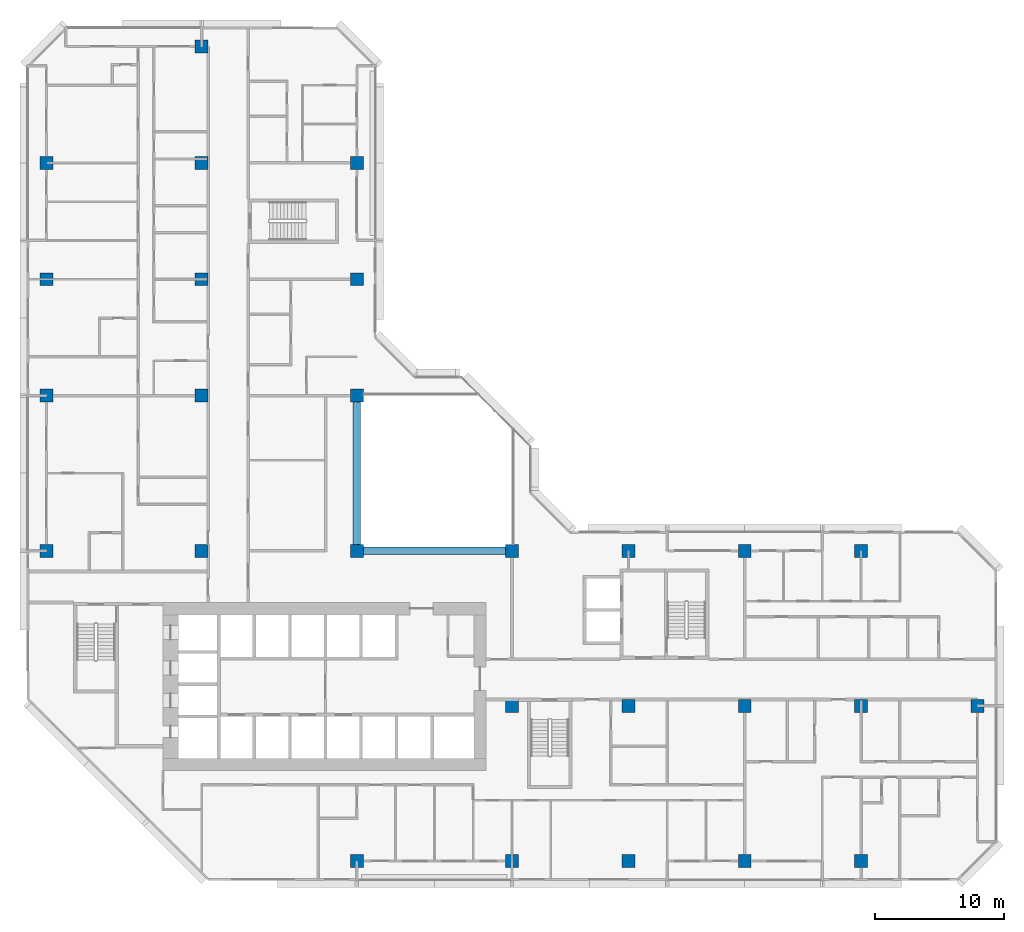
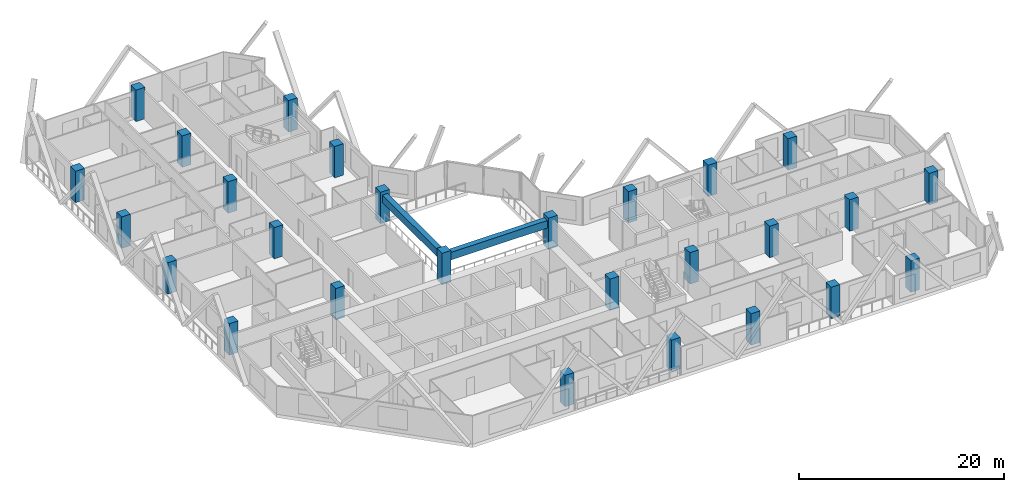
# One storey, part 1 of 15: 27 columns, 2 beams.
"""IFC4 building model written with IfcOpenShell, lengths in metres."""

from ifc_helpers import new_model, si_unit, direction, frame, origin, origin_2d, place, context, subcontext, project, spatial, rectangle, extrude, material, material_profile, profile_set, type_object, element, save


model = new_model("IFC4")

# Units and contexts
model_context = context("Model", 3, precision=1e-05, world=origin(), true_north=direction((0.0, 1.0)))
body_context = subcontext(model_context, "Body", "Model", "MODEL_VIEW")
ifc_project = project(units=[si_unit("LENGTHUNIT", "METRE"), si_unit("AREAUNIT", "SQUARE_METRE"), si_unit("VOLUMEUNIT", "CUBIC_METRE"), si_unit("PLANEANGLEUNIT", "RADIAN"), si_unit("MASSUNIT", "GRAM", prefix="KILO")], contexts=[model_context])

# Site, building, storey
site_placement = place(None, origin())
site = spatial("IfcSite", under=ifc_project, at=site_placement, CompositionType="ELEMENT")
building_placement = place(site_placement, origin())
building = spatial("IfcBuilding", under=site, at=building_placement, Name="Chenar Terraces", CompositionType="ELEMENT")
storey_placement = place(building_placement, frame((0.0, 0.0, 121.89990234375)))
storey = spatial("IfcBuildingStorey", under=building, at=storey_placement, Name="L28", CompositionType="ELEMENT", Elevation=121.89990234375)

# Columns
ifc_material_1 = material(Name="Concrete C70/85", Category="concrete")
ifc_material_profile_1 = material_profile(ifc_material_1, rectangle(XDim=1.0, YDim=1.0, at=origin_2d()), Name="C 1000 x 1000")
ifc_profile_set_1 = profile_set([ifc_material_profile_1], Name="Concrete C70/85")
column_type = type_object("IfcColumnType", Name="Column C 1000 x 1000 Concrete C70/85", PredefinedType="COLUMN", material=ifc_profile_set_1)
column_1_placement = place(storey_placement, frame((0.0, 24.0, 0.0), z_axis=(0.0, 0.0, 1.0), x_axis=(1.0, 0.0, 0.0)))
element("IfcColumn", 1, at=column_1_placement, inside=storey, type_object=column_type, Name="Column 5/G L28", PredefinedType="COLUMN", context=body_context, shape_type="SweptSolid", body=[
    extrude(rectangle(XDim=1.0, YDim=1.0, at=origin_2d()), origin(), (0.0, 0.0, 1.0), 3.75),
])
column_2_placement = place(storey_placement, frame((0.0, 36.0, 0.0), z_axis=(0.0, 0.0, 1.0), x_axis=(1.0, 0.0, 0.0)))
element("IfcColumn", 2, at=column_2_placement, inside=storey, type_object=column_type, Name="Column 5/H L28", PredefinedType="COLUMN", context=body_context, shape_type="SweptSolid", body=[
    extrude(rectangle(XDim=1.0, YDim=1.0, at=origin_2d()), origin(), (0.0, 0.0, 1.0), 3.75),
])
for number, where, z_axis, x_axis, name in (
    (3, (0.0, 45.0, 0.0), (0.0, 0.0, 1.0), (1.0, 0.0, 0.0), "Column 5/J L28"),
    (4, (0.0, 54.0, 0.0), (0.0, 0.0, 1.0), (1.0, 0.0, 0.0), "Column 5/K L28"),
    (5, (12.0, 24.0, 0.0), (0.0, 0.0, 1.0), (1.0, 0.0, 0.0), "Column 6/G L28"),
    (6, (12.0, 36.0, 0.0), (0.0, 0.0, 1.0), (1.0, 0.0, 0.0), "Column 6/H L28"),
    (7, (12.0, 45.0, 0.0), (0.0, 0.0, 1.0), (1.0, 0.0, 0.0), "Column 6/J L28"),
    (8, (12.0, 54.0, 0.0), (0.0, 0.0, 1.0), (1.0, 0.0, 0.0), "Column 6/K L28"),
    (9, (12.0, 63.0, 0.0), (0.0, 0.0, 1.0), (1.0, 0.0, 0.0), "Column 6/L L28"),
    (10, (24.0, 0.0, 0.0), (0.0, 0.0, 1.0), (1.0, 0.0, 0.0), "Column 7/E L28"),
    (11, (24.0, 24.0, 0.0), (0.0, 0.0, 1.0), (1.0, 0.0, 0.0), "Column 7/G L28"),
    (12, (24.0, 36.0, 0.0), (0.0, 0.0, 1.0), (1.0, 0.0, 0.0), "Column 7/H L28"),
    (13, (24.0, 45.0, 0.0), (0.0, 0.0, 1.0), (1.0, 0.0, 0.0), "Column 7/J L28"),
    (14, (24.0, 54.0, 0.0), (0.0, 0.0, 1.0), (1.0, 0.0, 0.0), "Column 7/K L28"),
    (15, (36.0, 0.0, 0.0), (0.0, 0.0, 1.0), (1.0, 0.0, 0.0), "Column 8/E L28"),
    (16, (36.0, 12.0, 0.0), (0.0, 0.0, 1.0), (1.0, 0.0, 0.0), "Column 8/F L28"),
    (17, (36.0, 24.0, 0.0), (0.0, 0.0, 1.0), (1.0, 0.0, 0.0), "Column 8/G L28"),
    (18, (45.0, 0.0, 0.0), (0.0, 0.0, 1.0), (1.0, 0.0, 0.0), "Column 9/E L28"),
    (19, (45.0, 12.0, 0.0), (0.0, 0.0, 1.0), (1.0, 0.0, 0.0), "Column 9/F L28"),
    (20, (45.0, 24.0, 0.0), (0.0, 0.0, 1.0), (1.0, 0.0, 0.0), "Column 9/G L28"),
    (21, (54.0, 0.0, 0.0), (0.0, 0.0, 1.0), (1.0, 0.0, 0.0), "Column 10/E L28"),
    (22, (54.0, 12.0, 0.0), (0.0, 0.0, 1.0), (1.0, 0.0, 0.0), "Column 10/F L28"),
    (23, (54.0, 24.0, 0.0), (0.0, 0.0, 1.0), (1.0, 0.0, 0.0), "Column 10/G L28"),
    (24, (63.0, 0.0, 0.0), (0.0, 0.0, 1.0), (1.0, 0.0, 0.0), "Column 11/E L28"),
    (25, (63.0, 12.0, 0.0), (0.0, 0.0, 1.0), (1.0, 0.0, 0.0), "Column 11/F L28"),
    (26, (63.0, 24.0, 0.0), (0.0, 0.0, 1.0), (1.0, 0.0, 0.0), "Column 11/G L28"),
    (27, (72.0, 12.0, 0.0), (0.0, 0.0, 1.0), (1.0, 0.0, 0.0), "Column 12/F L28"),
):
    element("IfcColumn", number, at=place(storey_placement, frame(where, z_axis=z_axis, x_axis=x_axis)), inside=storey, type_object=column_type, Name=name, PredefinedType="COLUMN", context=body_context, shape_type="SweptSolid", body=[
        extrude(rectangle(XDim=1.0, YDim=1.0, at=origin_2d()), origin(), (0.0, 0.0, 1.0), 3.75),
    ])

# Beams
ifc_material_2 = material(Name="Concrete C40/50", Category="concrete")
ifc_material_profile_2 = material_profile(ifc_material_2, rectangle(XDim=0.60009765625, YDim=0.89990234375, at=origin_2d()), Name="RC 600 x 900")
ifc_profile_set_2 = profile_set([ifc_material_profile_2], Name="Concrete C40/50")
beam_type = type_object("IfcBeamType", Name="Atrium edge beam 600 x 900 Concrete C40/50", PredefinedType="BEAM", material=ifc_profile_set_2)
for number, where, z_axis, x_axis, name in (
    (28, (24.5, 24.0, 2.900146484375), (1.0, 0.0, 0.0), (0.0, 1.0, 0.0), "Atrium edge beam L29 1"),
    (29, (24.0, 35.5, 2.900146484375), (0.0, -1.0, 0.0), (1.0, 0.0, 0.0), "Atrium edge beam L29 4"),
):
    element("IfcBeam", number, at=place(storey_placement, frame(where, z_axis=z_axis, x_axis=x_axis)), inside=storey, type_object=beam_type, Name=name, PredefinedType="BEAM", context=body_context, shape_type="SweptSolid", body=[
        extrude(rectangle(XDim=0.60009765625, YDim=0.89990234375, at=origin_2d()), origin(), (0.0, 0.0, 1.0), 11.0),
    ])

save(model, "model.ifc")
